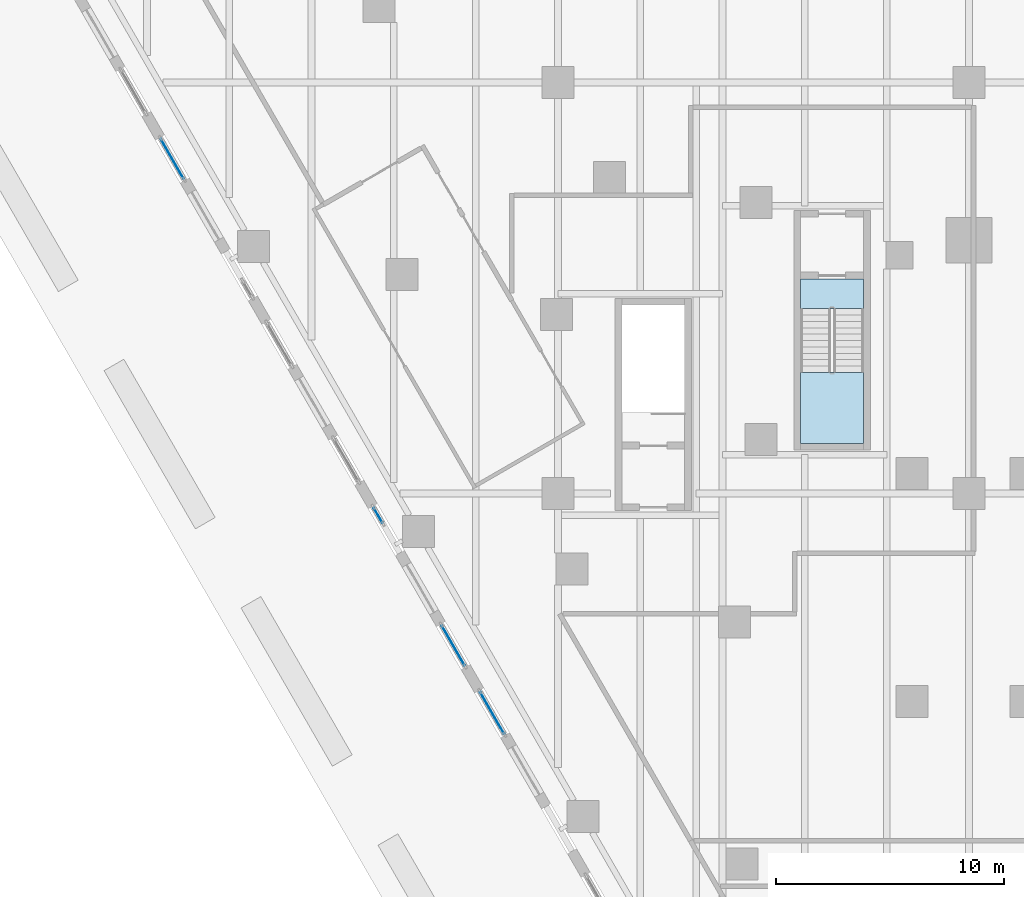
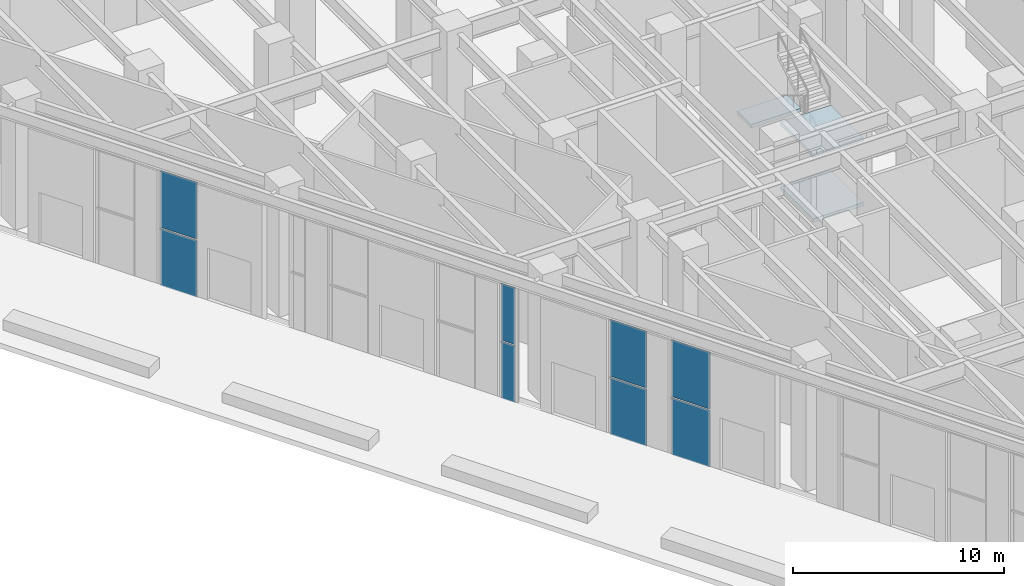
# One storey, part 20 of 37: 8 plates, 3 slabs, 5 elements without a shape of their own.
"""IFC4 building model written with IfcOpenShell, lengths in metres."""

from ifc_helpers import new_model, si_unit, direction, frame, origin, origin_2d, place, context, subcontext, project, spatial, polyline, rectangle, outline, extrude, material, layer, layer_set, type_object, element, aggregate, save


model = new_model("IFC4")

# Units and contexts
model_context = context("Model", 3, precision=1e-05, world=origin(), true_north=direction((0.0, 1.0)))
body_context = subcontext(model_context, "Body", "Model", "MODEL_VIEW")
ifc_project = project(units=[si_unit("LENGTHUNIT", "METRE"), si_unit("AREAUNIT", "SQUARE_METRE"), si_unit("VOLUMEUNIT", "CUBIC_METRE"), si_unit("PLANEANGLEUNIT", "RADIAN"), si_unit("MASSUNIT", "GRAM", prefix="KILO")], contexts=[model_context])

# Site, building, storey
site_placement = place(None, origin())
site = spatial("IfcSite", under=ifc_project, at=site_placement, CompositionType="ELEMENT")
building_placement = place(site_placement, origin())
building = spatial("IfcBuilding", under=site, at=building_placement, Name="Aloe Facet Convention Tower", CompositionType="ELEMENT")
storey_placement = place(building_placement, origin())
storey = spatial("IfcBuildingStorey", under=building, at=storey_placement, Name="L00", CompositionType="ELEMENT", Elevation=0.0)

# Stair, slabs
ifc_material_1 = material(Name="Concrete C50/60", Category="concrete")
stair_type = type_object("IfcStairType", Name="CR-ST-44R-W1300", PredefinedType="HALF_TURN_STAIR", material=ifc_material_1)
stair_placement = place(storey_placement, origin())
stair = element("IfcStair", 1, at=stair_placement, inside=storey, type_object=stair_type, Name="L00 Protected exit stair ST4", PredefinedType="HALF_TURN_STAIR")
ifc_material_2 = material(Name="Concrete C50/60", Category="concrete")
ifc_layer_1 = layer(ifc_material_2, 0.199951171875)
ifc_layer_set_1 = layer_set([ifc_layer_1], Name="CR-SL-LANDING")
slab_type = type_object("IfcSlabType", Name="CR-SL-LANDING", PredefinedType="LANDING", material=ifc_layer_set_1)
slab_1_placement = place(storey_placement, frame((0.0, 0.0, 1.675048828125)))
slab_1 = element("IfcSlab", 2, at=slab_1_placement, type_object=slab_type, Name="ST4 landing 1", PredefinedType="LANDING", context=body_context, shape_type="SweptSolid", body=[
    extrude(outline(polyline([(72.625, 86.300048828125), (72.625, 83.199951171875), (75.375, 83.199951171875), (75.375, 86.300048828125), (72.625, 86.300048828125)])), origin(), (0.0, 0.0, 1.0), 0.199951171875),
])
slab_2_placement = place(storey_placement, frame((0.0, 0.0, 3.550048828125)))
slab_2 = element("IfcSlab", 3, at=slab_2_placement, type_object=slab_type, Name="ST4 landing 2", PredefinedType="LANDING", context=body_context, shape_type="SweptSolid", body=[
    extrude(outline(polyline([(72.625, 90.39990234375), (72.625, 89.10009765625), (75.375, 89.10009765625), (75.375, 90.39990234375), (72.625, 90.39990234375)])), origin(), (0.0, 0.0, 1.0), 0.199951171875),
])
slab_3_placement = place(storey_placement, frame((0.0, 0.0, 5.425048828125)))
slab_3 = element("IfcSlab", 4, at=slab_3_placement, type_object=slab_type, Name="ST4 landing 3", PredefinedType="LANDING", context=body_context, shape_type="SweptSolid", body=[
    extrude(outline(polyline([(72.625, 86.300048828125), (72.625, 83.199951171875), (75.375, 83.199951171875), (75.375, 86.300048828125), (72.625, 86.300048828125)])), origin(), (0.0, 0.0, 1.0), 0.199951171875),
])
aggregate(stair, [slab_1, slab_2, slab_3])

# Curtain wall, plates
ifc_material_3 = material(Name="Aluminium, anodised", Category="aluminium")
curtain_wall_type = type_object("IfcCurtainWallType", Name="EV-CW-PORTAL", PredefinedType="USERDEFINED", material=ifc_material_3)
curtain_wall_1_placement = place(storey_placement, origin())
curtain_wall_1 = element("IfcCurtainWall", 5, at=curtain_wall_1_placement, inside=storey, type_object=curtain_wall_type, Name="CW-L00-W10A", ObjectType="ENTRANCE PORTAL GLAZING", PredefinedType="USERDEFINED")
ifc_material_4 = material(Name="Clear double glazing", Category="glass")
ifc_layer_2 = layer(ifc_material_4, 0.035888671875)
ifc_layer_set_2 = layer_set([ifc_layer_2], Name="EV-PANEL-PORTAL")
plate_type = type_object("IfcPlateType", Name="EV-PANEL-PORTAL", PredefinedType="CURTAIN_PANEL", material=ifc_layer_set_2)
plate_1_placement = place(storey_placement, frame((45.1103515625, 95.6513671875, -0.219970703125), z_axis=(0.0, 0.0, 1.0), x_axis=(0.500000000181, -0.86602540368, 0.0)))
plate_1 = element("IfcPlate", 6, at=plate_1_placement, type_object=plate_type, Name="CW-L00-W10A panel 1.1", PredefinedType="CURTAIN_PANEL", context=body_context, shape_type="SweptSolid", body=[
    extrude(rectangle(XDim=2.000732421875, YDim=0.035888671875, at=origin_2d()), origin(), (0.0, 0.0, 1.0), 3.2861328125),
])
plate_2_placement = place(storey_placement, frame((45.1103515625, 95.6513671875, 3.146240234375), z_axis=(0.0, 0.0, 1.0), x_axis=(0.500000000181, -0.86602540368, 0.0)))
plate_2 = element("IfcPlate", 7, at=plate_2_placement, type_object=plate_type, Name="CW-L00-W10A panel 1.2", PredefinedType="CURTAIN_PANEL", context=body_context, shape_type="SweptSolid", body=[
    extrude(rectangle(XDim=2.000732421875, YDim=0.035888671875, at=origin_2d()), origin(), (0.0, 0.0, 1.0), 3.2861328125),
])
aggregate(curtain_wall_1, [plate_1, plate_2])

curtain_wall_2_placement = place(storey_placement, origin())
curtain_wall_2 = element("IfcCurtainWall", 8, at=curtain_wall_2_placement, inside=storey, type_object=curtain_wall_type, Name="CW-L00-W14A", ObjectType="ENTRANCE PORTAL GLAZING", PredefinedType="USERDEFINED")
plate_3_placement = place(storey_placement, frame((54.1220703125, 80.042236328125, -0.219970703125), z_axis=(0.0, 0.0, 1.0), x_axis=(0.499999999849, -0.866025403872, 0.0)))
plate_3 = element("IfcPlate", 9, at=plate_3_placement, type_object=plate_type, Name="CW-L00-W14A panel 1.1", PredefinedType="CURTAIN_PANEL", context=body_context, shape_type="SweptSolid", body=[
    extrude(rectangle(XDim=0.762939453125, YDim=0.035888671875, at=origin_2d()), origin(), (0.0, 0.0, 1.0), 3.2861328125),
])
plate_4_placement = place(storey_placement, frame((54.1220703125, 80.042236328125, 3.146240234375), z_axis=(0.0, 0.0, 1.0), x_axis=(0.499999999849, -0.866025403872, 0.0)))
plate_4 = element("IfcPlate", 10, at=plate_4_placement, type_object=plate_type, Name="CW-L00-W14A panel 1.2", PredefinedType="CURTAIN_PANEL", context=body_context, shape_type="SweptSolid", body=[
    extrude(rectangle(XDim=0.762939453125, YDim=0.035888671875, at=origin_2d()), origin(), (0.0, 0.0, 1.0), 3.2861328125),
])
aggregate(curtain_wall_2, [plate_3, plate_4])

curtain_wall_3_placement = place(storey_placement, origin())
curtain_wall_3 = element("IfcCurtainWall", 11, at=curtain_wall_3_placement, inside=storey, type_object=curtain_wall_type, Name="CW-L00-W14B", ObjectType="ENTRANCE PORTAL GLAZING", PredefinedType="USERDEFINED")
plate_5_placement = place(storey_placement, frame((57.411865234375, 74.34423828125, -0.219970703125), z_axis=(0.0, 0.0, 1.0), x_axis=(0.499999999985, -0.866025403793, 0.0)))
plate_5 = element("IfcPlate", 12, at=plate_5_placement, type_object=plate_type, Name="CW-L00-W14B panel 1.1", PredefinedType="CURTAIN_PANEL", context=body_context, shape_type="SweptSolid", body=[
    extrude(rectangle(XDim=2.000732421875, YDim=0.035888671875, at=origin_2d()), origin(), (0.0, 0.0, 1.0), 3.2861328125),
])
plate_6_placement = place(storey_placement, frame((57.411865234375, 74.34423828125, 3.146240234375), z_axis=(0.0, 0.0, 1.0), x_axis=(0.499999999985, -0.866025403793, 0.0)))
plate_6 = element("IfcPlate", 13, at=plate_6_placement, type_object=plate_type, Name="CW-L00-W14B panel 1.2", PredefinedType="CURTAIN_PANEL", context=body_context, shape_type="SweptSolid", body=[
    extrude(rectangle(XDim=2.000732421875, YDim=0.035888671875, at=origin_2d()), origin(), (0.0, 0.0, 1.0), 3.2861328125),
])
aggregate(curtain_wall_3, [plate_5, plate_6])

curtain_wall_4_placement = place(storey_placement, origin())
curtain_wall_4 = element("IfcCurtainWall", 14, at=curtain_wall_4_placement, inside=storey, type_object=curtain_wall_type, Name="CW-L00-W16A", ObjectType="ENTRANCE PORTAL GLAZING", PredefinedType="USERDEFINED")
plate_7_placement = place(storey_placement, frame((59.1171875, 71.390380859375, -0.219970703125), z_axis=(0.0, 0.0, 1.0), x_axis=(0.50000000006, -0.86602540375, 0.0)))
plate_7 = element("IfcPlate", 15, at=plate_7_placement, type_object=plate_type, Name="CW-L00-W16A panel 1.1", PredefinedType="CURTAIN_PANEL", context=body_context, shape_type="SweptSolid", body=[
    extrude(rectangle(XDim=2.1005859375, YDim=0.035888671875, at=origin_2d()), origin(), (0.0, 0.0, 1.0), 3.2861328125),
])
plate_8_placement = place(storey_placement, frame((59.1171875, 71.390380859375, 3.146240234375), z_axis=(0.0, 0.0, 1.0), x_axis=(0.50000000006, -0.86602540375, 0.0)))
plate_8 = element("IfcPlate", 16, at=plate_8_placement, type_object=plate_type, Name="CW-L00-W16A panel 1.2", PredefinedType="CURTAIN_PANEL", context=body_context, shape_type="SweptSolid", body=[
    extrude(rectangle(XDim=2.1005859375, YDim=0.035888671875, at=origin_2d()), origin(), (0.0, 0.0, 1.0), 3.2861328125),
])
aggregate(curtain_wall_4, [plate_7, plate_8])

save(model, "model.ifc")
